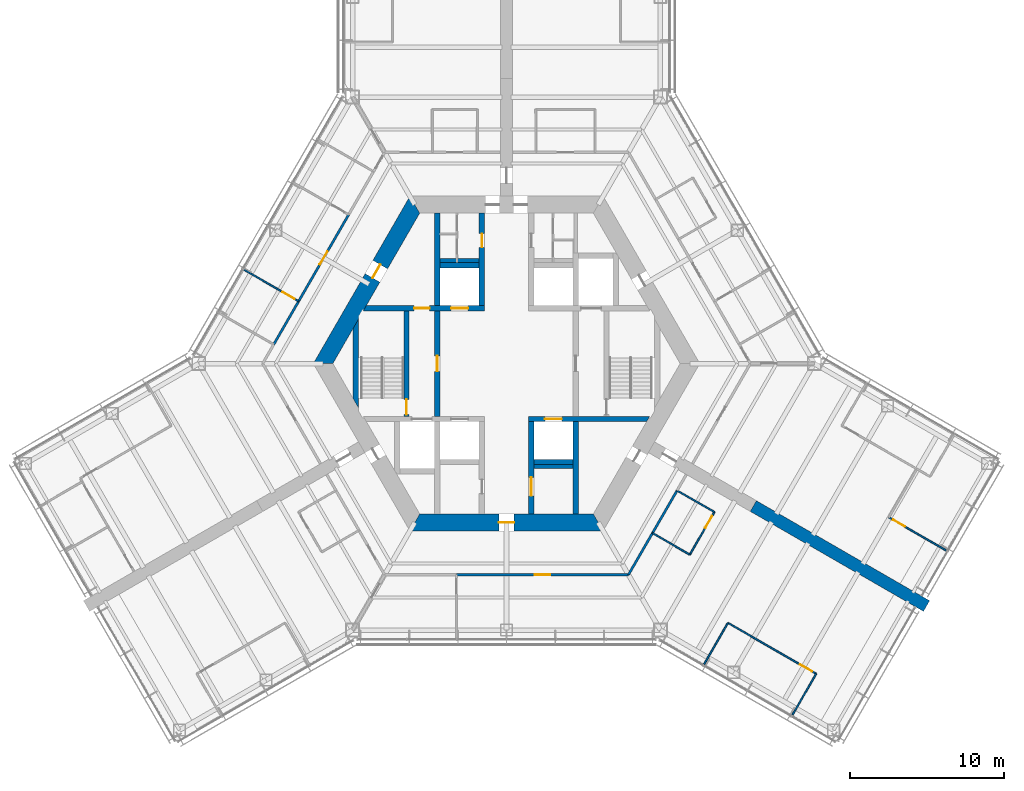
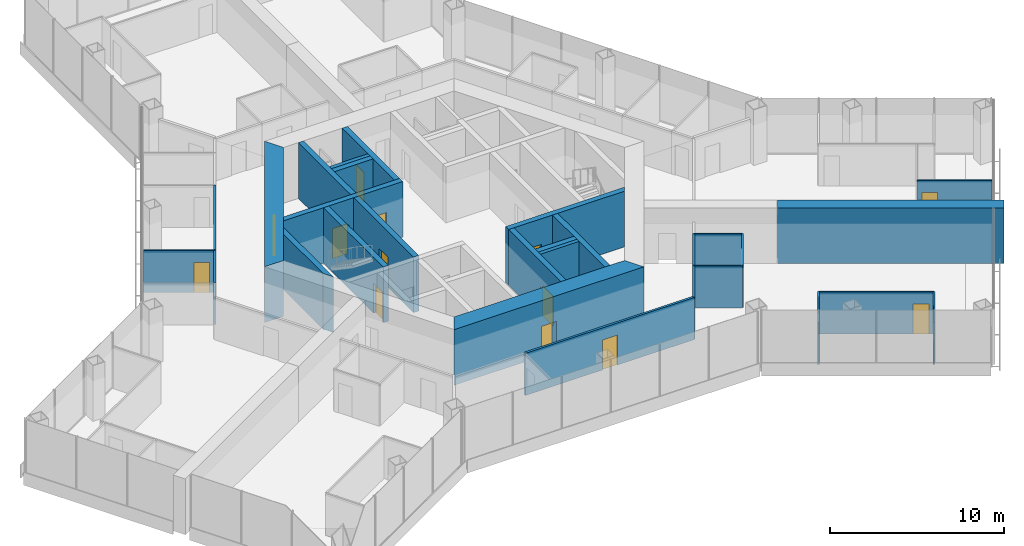
# One storey, part 13 of 19: 29 walls, 15 doors, 15 openings.
"""IFC4 building model written with IfcOpenShell, lengths in metres."""

from ifc_helpers import new_model, si_unit, direction, frame, frame_2d, origin, place, context, subcontext, project, spatial, polyline, rectangle, outline, extrude, material, layer, layer_set, type_object, element, fill, save


model = new_model("IFC4")

# Units and contexts
model_context = context("Model", 3, precision=1e-05, world=origin(), true_north=direction((0.0, 1.0)))
body_context = subcontext(model_context, "Body", "Model", "MODEL_VIEW")
ifc_project = project(units=[si_unit("LENGTHUNIT", "METRE"), si_unit("AREAUNIT", "SQUARE_METRE"), si_unit("VOLUMEUNIT", "CUBIC_METRE"), si_unit("PLANEANGLEUNIT", "RADIAN"), si_unit("MASSUNIT", "GRAM", prefix="KILO")], contexts=[model_context])

# Site, building, storey
site_placement = place(None, origin())
site = spatial("IfcSite", under=ifc_project, at=site_placement, CompositionType="ELEMENT")
building_placement = place(site_placement, origin())
building = spatial("IfcBuilding", under=site, at=building_placement, Name="Kasaneha Research Tower", CompositionType="ELEMENT")
storey_placement = place(building_placement, frame((0.0, 0.0, 96.300048828125)))
storey = spatial("IfcBuildingStorey", under=building, at=storey_placement, Name="L24", CompositionType="ELEMENT", Elevation=96.300048828125)

# Wall, openings, doors
ifc_material_1 = material(Name="Concrete Fc80", Category="concrete")
ifc_layer_1 = layer(ifc_material_1, 0.35009765625)
ifc_layer_set_1 = layer_set([ifc_layer_1], Name="Core internal wall 350 Fc80")
wall_type_1 = type_object("IfcWallType", Name="Core internal wall 350 Fc80", PredefinedType="SHEAR", material=ifc_layer_set_1)
wall_1_placement = place(storey_placement, frame((-9.208740234375, 3.60009765625, 0.0), z_axis=(0.0, 0.0, 1.0), x_axis=(1.0, 0.0, 0.0)))
wall_1 = element("IfcWall", 1, at=wall_1_placement, inside=storey, type_object=wall_type_1, Name="Core wall W1W L24", PredefinedType="SHEAR", context=body_context, shape_type="SweptSolid", body=[
    extrude(outline(polyline([(-0.10107421875, -0.175048828125), (3.208740234375, -0.175048828125), (4.208740234375, -0.175048828125), (5.608642578125, -0.175048828125), (6.708740234375, -0.175048828125), (7.78369140625, -0.175048828125), (7.78369140625, 0.175048828125), (6.708740234375, 0.175048828125), (5.608642578125, 0.175048828125), (4.208740234375, 0.175048828125), (3.208740234375, 0.175048828125), (0.10107421875, 0.175048828125), (-0.10107421875, -0.175048828125)])), origin(), (0.0, 0.0, 1.0), 3.89990234375),
])
opening_1_placement = place(wall_1_placement, frame((3.208740234375, 0.0, 0.0)))
opening_1 = element("IfcOpeningElement", 2, at=opening_1_placement, cuts=wall_1, Name="Opening L24-D12", PredefinedType="OPENING", context=body_context, shape_type="SweptSolid", body=[
    extrude(rectangle(XDim=1.0, YDim=2.10009765625, at=frame_2d((0.5, 1.050048828125))), frame((0.0, 0.18505859375, 0.0), z_axis=(0.0, -1.0, 0.0), x_axis=(1.0, 0.0, 0.0)), (0.0, 0.0, 1.0), 0.3701171875),
])
opening_2_placement = place(wall_1_placement, frame((5.608642578125, 0.0, 0.0)))
opening_2 = element("IfcOpeningElement", 3, at=opening_2_placement, cuts=wall_1, Name="Opening LD-LO1-L24", PredefinedType="OPENING", context=body_context, shape_type="SweptSolid", body=[
    extrude(rectangle(XDim=1.10009765625, YDim=2.10009765625, at=frame_2d((0.550048828125, 1.050048828125))), frame((0.0, 0.18505859375, 0.0), z_axis=(0.0, -1.0, 0.0), x_axis=(1.0, 0.0, 0.0)), (0.0, 0.0, 1.0), 0.3701171875),
])
ifc_material_2 = material(Name="Steel", Category="steel")
door_type_1 = type_object("IfcDoorType", Name="Lift landing door 1100x2100", OperationType="DOUBLE_DOOR_SLIDING", PredefinedType="DOOR", material=ifc_material_2)
door_1_placement = place(opening_2_placement, origin())
door_1 = element("IfcDoor", 4, at=door_1_placement, inside=storey, type_object=door_type_1, Name="Landing door LO1 LD-LO1-L24", OperationType="DOUBLE_DOOR_SLIDING", OverallHeight=2.10009765625, OverallWidth=1.10009765625, PredefinedType="DOOR", context=body_context, shape_type="SweptSolid", body=[
    extrude(rectangle(XDim=1.10009765625, YDim=2.10009765625, at=frame_2d((0.550048828125, 1.050048828125))), frame((0.0, 0.02490234375, 0.0), z_axis=(0.0, -1.0, 0.0), x_axis=(1.0, 0.0, 0.0)), (0.0, 0.0, 1.0), 0.050048828125),
])
fill(opening_2, door_1)
ifc_material_3 = material(Name="Steel", Category="steel")
door_type_2 = type_object("IfcDoorType", Name="Specified fire door FD60 1000x2100", OperationType="NOTDEFINED", PredefinedType="DOOR", material=ifc_material_3)
door_2_placement = place(opening_1_placement, origin())
door_2 = element("IfcDoor", 5, at=door_2_placement, inside=storey, type_object=door_type_2, Name="Vestibule to lobby door L24-D12", OperationType="SINGLE_SWING_RIGHT", OverallHeight=2.10009765625, OverallWidth=1.0, PredefinedType="DOOR", context=body_context, shape_type="SweptSolid", body=[
    extrude(rectangle(XDim=1.0, YDim=2.10009765625, at=frame_2d((0.5, 1.050048828125))), frame((0.0, 0.02490234375, 0.0), z_axis=(0.0, -1.0, 0.0), x_axis=(1.0, 0.0, 0.0)), (0.0, 0.0, 1.0), 0.050048828125),
])
fill(opening_1, door_2)

# Wall, opening, door
wall_2_placement = place(storey_placement, frame((1.425048828125, -3.60009765625, 0.0), z_axis=(0.0, 0.0, 1.0), x_axis=(1.0, 0.0, 0.0)))
wall_2 = element("IfcWall", 6, at=wall_2_placement, inside=storey, type_object=wall_type_1, Name="Core wall W2E L24", PredefinedType="SHEAR", context=body_context, shape_type="SweptSolid", body=[
    extrude(outline(polyline([(0.0, -0.175048828125), (1.074951171875, -0.175048828125), (2.175048828125, -0.175048828125), (7.6826171875, -0.175048828125), (7.884765625, 0.175048828125), (2.175048828125, 0.175048828125), (1.074951171875, 0.175048828125), (0.0, 0.175048828125), (0.0, -0.175048828125)])), origin(), (0.0, 0.0, 1.0), 3.89990234375),
])
opening_3_placement = place(wall_2_placement, frame((1.074951171875, 0.0, 0.0)))
opening_3 = element("IfcOpeningElement", 7, at=opening_3_placement, cuts=wall_2, Name="Opening LD-LO3-L24", PredefinedType="OPENING", context=body_context, shape_type="SweptSolid", body=[
    extrude(rectangle(XDim=1.10009765625, YDim=2.10009765625, at=frame_2d((0.550048828125, 1.050048828125))), frame((0.0, 0.18505859375, 0.0), z_axis=(0.0, -1.0, 0.0), x_axis=(1.0, 0.0, 0.0)), (0.0, 0.0, 1.0), 0.3701171875),
])
door_3_placement = place(opening_3_placement, origin())
door_3 = element("IfcDoor", 8, at=door_3_placement, inside=storey, type_object=door_type_1, Name="Landing door LO3 LD-LO3-L24", OperationType="DOUBLE_DOOR_SLIDING", OverallHeight=2.10009765625, OverallWidth=1.10009765625, PredefinedType="DOOR", context=body_context, shape_type="SweptSolid", body=[
    extrude(rectangle(XDim=1.10009765625, YDim=2.10009765625, at=frame_2d((0.550048828125, 1.050048828125))), frame((0.0, 0.02490234375, 0.0), z_axis=(0.0, -1.0, 0.0), x_axis=(1.0, 0.0, 0.0)), (0.0, 0.0, 1.0), 0.050048828125),
])
fill(opening_3, door_3)

wall_3_placement = place(storey_placement, frame((-1.60009765625, 3.77490234375, 0.0), z_axis=(0.0, 0.0, 1.0), x_axis=(0.0, 1.0, 0.0)))
wall_3 = element("IfcWall", 9, at=wall_3_placement, inside=storey, type_object=wall_type_1, Name="Core wall CNW L24", PredefinedType="SHEAR", context=body_context, shape_type="SweptSolid", body=[
    extrude(rectangle(XDim=6.0, YDim=0.35009765625, at=frame_2d((3.0, 0.0))), origin(), (0.0, 0.0, 1.0), 3.89990234375),
])
opening_4_placement = place(wall_3_placement, frame((3.77490234375, 0.0, 0.0)))
opening_4 = element("IfcOpeningElement", 10, at=opening_4_placement, cuts=wall_3, Name="Opening L24-D13", PredefinedType="OPENING", context=body_context, shape_type="SweptSolid", body=[
    extrude(rectangle(XDim=0.89990234375, YDim=2.10009765625, at=frame_2d((0.449951171875, 1.050048828125))), frame((0.0, 0.18505859375, 0.0), z_axis=(0.0, -1.0, 0.0), x_axis=(1.0, 0.0, 0.0)), (0.0, 0.0, 1.0), 0.3701171875),
])
ifc_material_4 = material(Name="Steel", Category="steel")
door_type_3 = type_object("IfcDoorType", Name="Toilet door FD20 900x2100", OperationType="NOTDEFINED", PredefinedType="DOOR", material=ifc_material_4)
door_4_placement = place(opening_4_placement, origin())
door_4 = element("IfcDoor", 11, at=door_4_placement, inside=storey, type_object=door_type_3, Name="Men's WC door L24-D13", OperationType="SINGLE_SWING_LEFT", OverallHeight=2.10009765625, OverallWidth=0.89990234375, PredefinedType="DOOR", context=body_context, shape_type="SweptSolid", body=[
    extrude(rectangle(XDim=0.89990234375, YDim=2.10009765625, at=frame_2d((0.449951171875, 1.050048828125))), frame((0.0, 0.02490234375, 0.0), z_axis=(0.0, -1.0, 0.0), x_axis=(1.0, 0.0, 0.0)), (0.0, 0.0, 1.0), 0.050048828125),
])
fill(opening_4, door_4)

wall_4_placement = place(storey_placement, frame((1.60009765625, -3.77490234375, 0.0), z_axis=(0.0, 0.0, 1.0), x_axis=(0.0, -1.0, 0.0)))
wall_4 = element("IfcWall", 12, at=wall_4_placement, inside=storey, type_object=wall_type_1, Name="Core wall CSE L24", PredefinedType="SHEAR", context=body_context, shape_type="SweptSolid", body=[
    extrude(rectangle(XDim=6.0, YDim=0.35009765625, at=frame_2d((3.0, 0.0))), origin(), (0.0, 0.0, 1.0), 3.89990234375),
])
opening_5_placement = place(wall_4_placement, frame((3.625, 0.0, 0.0)))
opening_5 = element("IfcOpeningElement", 13, at=opening_5_placement, cuts=wall_4, Name="Opening L24-D15", PredefinedType="OPENING", context=body_context, shape_type="SweptSolid", body=[
    extrude(rectangle(XDim=1.199951171875, YDim=2.10009765625, at=frame_2d((0.60009765625, 1.050048828125))), frame((0.0, 0.18505859375, 0.0), z_axis=(0.0, -1.0, 0.0), x_axis=(1.0, 0.0, 0.0)), (0.0, 0.0, 1.0), 0.3701171875),
])
ifc_material_5 = material(Name="Steel", Category="steel")
door_type_4 = type_object("IfcDoorType", Name="Accessible toilet sliding door FD20 1200x2100", OperationType="SLIDING_TO_LEFT", PredefinedType="DOOR", material=ifc_material_5)
door_5_placement = place(opening_5_placement, origin())
door_5 = element("IfcDoor", 14, at=door_5_placement, inside=storey, type_object=door_type_4, Name="Accessible WC door L24-D15", OperationType="SLIDING_TO_LEFT", OverallHeight=2.10009765625, OverallWidth=1.199951171875, PredefinedType="DOOR", context=body_context, shape_type="SweptSolid", body=[
    extrude(rectangle(XDim=1.199951171875, YDim=2.10009765625, at=frame_2d((0.60009765625, 1.050048828125))), frame((0.0, 0.02490234375, 0.0), z_axis=(0.0, -1.0, 0.0), x_axis=(1.0, 0.0, 0.0)), (0.0, 0.0, 1.0), 0.050048828125),
])
fill(opening_5, door_5)

wall_5_placement = place(storey_placement, frame((-4.5, -3.425048828125, 0.0), z_axis=(0.0, 0.0, 1.0), x_axis=(0.0, 1.0, 0.0)))
wall_5 = element("IfcWall", 15, at=wall_5_placement, inside=storey, type_object=wall_type_1, Name="Core wall LBW L24", PredefinedType="SHEAR", context=body_context, shape_type="SweptSolid", body=[
    extrude(rectangle(XDim=6.85009765625, YDim=0.35009765625, at=frame_2d((3.425048828125, 0.0))), origin(), (0.0, 0.0, 1.0), 3.89990234375),
])
opening_6_placement = place(wall_5_placement, frame((2.925048828125, 0.0, 0.0)))
opening_6 = element("IfcOpeningElement", 16, at=opening_6_placement, cuts=wall_5, Name="Opening L24-D09", PredefinedType="OPENING", context=body_context, shape_type="SweptSolid", body=[
    extrude(rectangle(XDim=1.0, YDim=2.10009765625, at=frame_2d((0.5, 1.050048828125))), frame((0.0, 0.18505859375, 0.0), z_axis=(0.0, -1.0, 0.0), x_axis=(1.0, 0.0, 0.0)), (0.0, 0.0, 1.0), 0.3701171875),
])
door_6_placement = place(opening_6_placement, origin())
door_6 = element("IfcDoor", 17, at=door_6_placement, inside=storey, type_object=door_type_2, Name="Lift lobby door west L24-D09", OperationType="SINGLE_SWING_LEFT", OverallHeight=2.10009765625, OverallWidth=1.0, PredefinedType="DOOR", context=body_context, shape_type="SweptSolid", body=[
    extrude(rectangle(XDim=1.0, YDim=2.10009765625, at=frame_2d((0.5, 1.050048828125))), frame((0.0, 0.02490234375, 0.0), z_axis=(0.0, -1.0, 0.0), x_axis=(1.0, 0.0, 0.0)), (0.0, 0.0, 1.0), 0.050048828125),
])
fill(opening_6, door_6)

wall_6_placement = place(storey_placement, frame((-6.5, -3.425048828125, 0.0), z_axis=(0.0, 0.0, 1.0), x_axis=(0.0, 1.0, 0.0)))
wall_6 = element("IfcWall", 18, at=wall_6_placement, inside=storey, type_object=wall_type_1, Name="Core wall ANW L24", PredefinedType="SHEAR", context=body_context, shape_type="SweptSolid", body=[
    extrude(rectangle(XDim=6.85009765625, YDim=0.35009765625, at=frame_2d((3.425048828125, 0.0))), origin(), (0.0, 0.0, 1.0), 3.89990234375),
])
opening_7_placement = place(wall_6_placement, frame((0.10009765625, 0.0, 0.0)))
opening_7 = element("IfcOpeningElement", 19, at=opening_7_placement, cuts=wall_6, Name="Opening L24-D11", PredefinedType="OPENING", context=body_context, shape_type="SweptSolid", body=[
    extrude(rectangle(XDim=1.0, YDim=2.10009765625, at=frame_2d((0.5, 1.050048828125))), frame((0.0, 0.18505859375, 0.0), z_axis=(0.0, -1.0, 0.0), x_axis=(1.0, 0.0, 0.0)), (0.0, 0.0, 1.0), 0.3701171875),
])
door_7_placement = place(opening_7_placement, origin())
door_7 = element("IfcDoor", 20, at=door_7_placement, inside=storey, type_object=door_type_2, Name="Stair 2 door L24-D11", OperationType="SINGLE_SWING_LEFT", OverallHeight=2.10009765625, OverallWidth=1.0, PredefinedType="DOOR", context=body_context, shape_type="SweptSolid", body=[
    extrude(rectangle(XDim=1.0, YDim=2.10009765625, at=frame_2d((0.5, 1.050048828125))), frame((0.0, 0.02490234375, 0.0), z_axis=(0.0, -1.0, 0.0), x_axis=(1.0, 0.0, 0.0)), (0.0, 0.0, 1.0), 0.050048828125),
])
fill(opening_7, door_7)

# Walls
for number, where, z_axis, x_axis, name in (
    (21, (-4.5, 3.77490234375, 0.0), (0.0, 0.0, 1.0), (0.0, 1.0, 0.0), "Core wall VNW L24"),
    (22, (4.5, -3.77490234375, 0.0), (0.0, 0.0, 1.0), (0.0, -1.0, 0.0), "Core wall SSE L24"),
):
    element("IfcWall", number, at=place(storey_placement, frame(where, z_axis=z_axis, x_axis=x_axis)), inside=storey, type_object=wall_type_1, Name=name, PredefinedType="SHEAR", context=body_context, shape_type="SweptSolid", body=[
        extrude(rectangle(XDim=6.0, YDim=0.35009765625, at=frame_2d((3.0, 0.0))), origin(), (0.0, 0.0, 1.0), 3.89990234375),
    ])
for number, where, z_axis, x_axis, name in (
    (23, (-4.324951171875, 6.39990234375, 0.0), (0.0, 0.0, 1.0), (1.0, 0.0, 0.0), "Core wall N1N L24"),
    (24, (1.77490234375, -6.39990234375, 0.0), (0.0, 0.0, 1.0), (1.0, 0.0, 0.0), "Core wall S3S L24"),
):
    element("IfcWall", number, at=place(storey_placement, frame(where, z_axis=z_axis, x_axis=x_axis)), inside=storey, type_object=wall_type_1, Name=name, PredefinedType="SHEAR", context=body_context, shape_type="SweptSolid", body=[
        extrude(rectangle(XDim=2.550048828125, YDim=0.35009765625, at=frame_2d((1.27490234375, 0.0))), origin(), (0.0, 0.0, 1.0), 3.89990234375),
    ])
wall_7_placement = place(storey_placement, frame((-9.807861328125, -2.562255859375, 0.0), z_axis=(0.0, 0.0, 1.0), x_axis=(0.0, 1.0, 0.0)))
element("IfcWall", 25, at=wall_7_placement, inside=storey, type_object=wall_type_1, Name="Core wall STW L24", PredefinedType="SHEAR", context=body_context, shape_type="SweptSolid", body=[
    extrude(outline(polyline([(-0.30322265625, -0.175048828125), (5.427734375, -0.175048828125), (4.8212890625, 0.175048828125), (0.30322265625, 0.175048828125), (-0.30322265625, -0.175048828125)])), origin(), (0.0, 0.0, 1.0), 3.89990234375),
])

# Wall, opening, door
ifc_material_6 = material(Name="Concrete Fc80", Category="concrete")
ifc_layer_2 = layer(ifc_material_6, 1.10009765625)
ifc_layer_set_2 = layer_set([ifc_layer_2], Name="Core wall 1100 Fc80")
wall_type_2 = type_object("IfcWallType", Name="Core wall 1100 Fc80", PredefinedType="SHEAR", material=ifc_layer_set_2)
wall_8_placement = place(storey_placement, frame((-5.961181640625, 10.324951171875, 0.0), z_axis=(0.0, 0.0, 1.0), x_axis=(-0.500004296715, -0.866022923061, 0.0)))
wall_8 = element("IfcWall", 26, at=wall_8_placement, inside=storey, type_object=wall_type_2, Name="Core wall 150 L24", PredefinedType="SHEAR", context=body_context, shape_type="SweptSolid", body=[
    extrude(outline(polyline([(-0.317626953125, -0.550048828125), (4.494140625, -0.550048828125), (5.494140625, -0.550048828125), (12.239990234375, -0.550048828125), (11.604736328125, 0.550048828125), (5.494140625, 0.550048828125), (4.494140625, 0.550048828125), (0.317626953125, 0.550048828125), (-0.317626953125, -0.550048828125)])), origin(), (0.0, 0.0, 1.0), 3.89990234375),
])
opening_8_placement = place(wall_8_placement, frame((4.494140625, 0.0, 0.0)))
opening_8 = element("IfcOpeningElement", 27, at=opening_8_placement, cuts=wall_8, Name="Opening L24-D07", PredefinedType="OPENING", context=body_context, shape_type="SweptSolid", body=[
    extrude(rectangle(XDim=1.0, YDim=2.10009765625, at=frame_2d((0.5, 1.050048828125))), frame((0.0, 0.56005859375, 0.0), z_axis=(0.0, -1.0, 0.0), x_axis=(1.0, 0.0, 0.0)), (0.0, 0.0, 1.0), 1.1201171875),
])
ifc_material_7 = material(Name="Steel", Category="steel")
door_type_5 = type_object("IfcDoorType", Name="Fire door FD20 1000x2100", OperationType="NOTDEFINED", PredefinedType="DOOR", material=ifc_material_7)
door_8_placement = place(opening_8_placement, origin())
door_8 = element("IfcDoor", 28, at=door_8_placement, inside=storey, type_object=door_type_5, Name="Vestibule door L24-D07", OperationType="SINGLE_SWING_LEFT", OverallHeight=2.10009765625, OverallWidth=1.0, PredefinedType="DOOR", context=body_context, shape_type="SweptSolid", body=[
    extrude(rectangle(XDim=1.0, YDim=2.10009765625, at=frame_2d((0.5, 1.050048828125))), frame((0.0, 0.02490234375, 0.0), z_axis=(0.0, -1.0, 0.0), x_axis=(1.0, 0.0, 0.0)), (0.0, 0.0, 1.0), 0.050048828125),
])
fill(opening_8, door_8)

wall_9_placement = place(storey_placement, frame((-5.961181640625, -10.324951171875, 0.0), z_axis=(0.0, 0.0, 1.0), x_axis=(1.0, 0.0, 0.0)))
wall_9 = element("IfcWall", 29, at=wall_9_placement, inside=storey, type_object=wall_type_2, Name="Core wall 270 L24", PredefinedType="SHEAR", context=body_context, shape_type="SweptSolid", body=[
    extrude(outline(polyline([(-0.317626953125, -0.550048828125), (5.461181640625, -0.550048828125), (6.461181640625, -0.550048828125), (12.239990234375, -0.550048828125), (11.604736328125, 0.550048828125), (6.461181640625, 0.550048828125), (5.461181640625, 0.550048828125), (0.317626953125, 0.550048828125), (-0.317626953125, -0.550048828125)])), origin(), (0.0, 0.0, 1.0), 3.89990234375),
])
opening_9_placement = place(wall_9_placement, frame((5.461181640625, 0.0, 0.0)))
opening_9 = element("IfcOpeningElement", 30, at=opening_9_placement, cuts=wall_9, Name="Opening L24-D03", PredefinedType="OPENING", context=body_context, shape_type="SweptSolid", body=[
    extrude(rectangle(XDim=1.0, YDim=2.10009765625, at=frame_2d((0.5, 1.050048828125))), frame((0.0, 0.56005859375, 0.0), z_axis=(0.0, -1.0, 0.0), x_axis=(1.0, 0.0, 0.0)), (0.0, 0.0, 1.0), 1.1201171875),
])
door_9_placement = place(opening_9_placement, origin())
door_9 = element("IfcDoor", 31, at=door_9_placement, inside=storey, type_object=door_type_5, Name="Core door south L24-D03", OperationType="SINGLE_SWING_LEFT", OverallHeight=2.10009765625, OverallWidth=1.0, PredefinedType="DOOR", context=body_context, shape_type="SweptSolid", body=[
    extrude(rectangle(XDim=1.0, YDim=2.10009765625, at=frame_2d((0.5, 1.050048828125))), frame((0.0, 0.02490234375, 0.0), z_axis=(0.0, -1.0, 0.0), x_axis=(1.0, 0.0, 0.0)), (0.0, 0.0, 1.0), 0.050048828125),
])
fill(opening_9, door_9)

ifc_material_8 = material(Name="Gypsum board on steel studs, one layer each side", Category="steel")
ifc_layer_3 = layer(ifc_material_8, 0.10009765625)
ifc_layer_set_3 = layer_set([ifc_layer_3], Name="Office partition 100")
wall_type_3 = type_object("IfcWallType", Name="Office partition 100", PredefinedType="PARTITIONING", material=ifc_layer_set_3)
wall_10_placement = place(storey_placement, frame((-17.05615234375, 6.098876953125, 0.0), z_axis=(0.0, 0.0, 1.0), x_axis=(0.865456213931, -0.500984572385, 0.0)))
wall_10 = element("IfcWall", 32, at=wall_10_placement, inside=storey, type_object=wall_type_3, Name="Office partition FBN11 L24", PredefinedType="PARTITIONING", context=body_context, shape_type="SweptSolid", body=[
    extrude(rectangle(XDim=4.095458984375, YDim=0.10009765625, at=frame_2d((2.0478515625, 0.0))), origin(), (0.0, 0.0, 1.0), 2.949951171875),
])
opening_10_placement = place(wall_10_placement, frame((2.8955078125, 0.0, 0.0)))
opening_10 = element("IfcOpeningElement", 33, at=opening_10_placement, cuts=wall_10, Name="Opening L24-D43", PredefinedType="OPENING", context=body_context, shape_type="SweptSolid", body=[
    extrude(rectangle(XDim=0.89990234375, YDim=2.10009765625, at=frame_2d((0.449951171875, 1.050048828125))), frame((0.0, 0.06005859375, 0.0), z_axis=(0.0, -1.0, 0.0), x_axis=(1.0, 0.0, 0.0)), (0.0, 0.0, 1.0), 0.1201171875),
])
ifc_material_9 = material(Name="Timber veneer", Category="wood")
door_type_6 = type_object("IfcDoorType", Name="Office door 900x2100", OperationType="SINGLE_SWING_LEFT", PredefinedType="DOOR", material=ifc_material_9)
door_10_placement = place(opening_10_placement, origin())
door_10 = element("IfcDoor", 34, at=door_10_placement, inside=storey, type_object=door_type_6, Name="Meeting room door L24-D43", OperationType="SINGLE_SWING_RIGHT", OverallHeight=2.10009765625, OverallWidth=0.89990234375, PredefinedType="DOOR", context=body_context, shape_type="SweptSolid", body=[
    extrude(rectangle(XDim=0.89990234375, YDim=2.10009765625, at=frame_2d((0.449951171875, 1.050048828125))), frame((0.0, 0.02490234375, 0.0), z_axis=(0.0, -1.0, 0.0), x_axis=(1.0, 0.0, 0.0)), (0.0, 0.0, 1.0), 0.050048828125),
])
fill(opening_10, door_10)

wall_11_placement = place(storey_placement, frame((28.57470703125, -12.148193359375, 0.0), z_axis=(0.0, 0.0, 1.0), x_axis=(-0.866033360935, 0.499986217557, 0.0)))
wall_11 = element("IfcWall", 35, at=wall_11_placement, inside=storey, type_object=wall_type_3, Name="Office partition FCE07 L24", PredefinedType="PARTITIONING", context=body_context, shape_type="SweptSolid", body=[
    extrude(rectangle(XDim=4.2998046875, YDim=0.10009765625, at=frame_2d((2.14990234375, 0.0))), origin(), (0.0, 0.0, 1.0), 2.949951171875),
])
opening_11_placement = place(wall_11_placement, frame((3.10009765625, 0.0, 0.0)))
opening_11 = element("IfcOpeningElement", 36, at=opening_11_placement, cuts=wall_11, Name="Opening L24-D52", PredefinedType="OPENING", context=body_context, shape_type="SweptSolid", body=[
    extrude(rectangle(XDim=0.89990234375, YDim=2.10009765625, at=frame_2d((0.449951171875, 1.050048828125))), frame((0.0, 0.06005859375, 0.0), z_axis=(0.0, -1.0, 0.0), x_axis=(1.0, 0.0, 0.0)), (0.0, 0.0, 1.0), 0.1201171875),
])
door_11_placement = place(opening_11_placement, origin())
door_11 = element("IfcDoor", 37, at=door_11_placement, inside=storey, type_object=door_type_6, Name="Meeting room door L24-D52", OperationType="SINGLE_SWING_RIGHT", OverallHeight=2.10009765625, OverallWidth=0.89990234375, PredefinedType="DOOR", context=body_context, shape_type="SweptSolid", body=[
    extrude(rectangle(XDim=0.89990234375, YDim=2.10009765625, at=frame_2d((0.449951171875, 1.050048828125))), frame((0.0, 0.02490234375, 0.0), z_axis=(0.0, -1.0, 0.0), x_axis=(1.0, 0.0, 0.0)), (0.0, 0.0, 1.0), 0.050048828125),
])
fill(opening_11, door_11)

# Walls
wall_12_placement = place(storey_placement, frame((11.083984375, -8.251953125, 0.0), z_axis=(0.0, 0.0, 1.0), x_axis=(0.86679607088, -0.498662783358, 0.0)))
element("IfcWall", 38, at=wall_12_placement, inside=storey, type_object=wall_type_3, Name="Office partition FCS06 L24", PredefinedType="PARTITIONING", context=body_context, shape_type="SweptSolid", body=[
    extrude(rectangle(XDim=2.800048828125, YDim=0.10009765625, at=frame_2d((1.39990234375, 0.0))), origin(), (0.0, 0.0, 1.0), 2.949951171875),
])
wall_13_placement = place(storey_placement, frame((11.9111328125, -12.41943359375, 0.0), z_axis=(0.0, 0.0, 1.0), x_axis=(-0.86521729344, 0.50139708329, 0.0)))
element("IfcWall", 39, at=wall_13_placement, inside=storey, type_object=wall_type_3, Name="Office partition FCS07 L24", PredefinedType="PARTITIONING", context=body_context, shape_type="SweptSolid", body=[
    extrude(rectangle(XDim=2.80029296875, YDim=0.10009765625, at=frame_2d((1.400146484375, 0.0))), origin(), (0.0, 0.0, 1.0), 2.949951171875),
])

# Wall, opening, door
wall_14_placement = place(storey_placement, frame((13.510986328125, -9.648193359375, 0.0), z_axis=(0.0, 0.0, 1.0), x_axis=(-0.499971222258, -0.866042017984, 0.0)))
wall_14 = element("IfcWall", 40, at=wall_14_placement, inside=storey, type_object=wall_type_3, Name="Office partition FCS08 L24", PredefinedType="PARTITIONING", context=body_context, shape_type="SweptSolid", body=[
    extrude(rectangle(XDim=3.199951171875, YDim=0.10009765625, at=frame_2d((1.60009765625, 0.0))), origin(), (0.0, 0.0, 1.0), 2.949951171875),
])
opening_12_placement = place(wall_14_placement, frame((0.300048828125, 0.0, 0.0)))
opening_12 = element("IfcOpeningElement", 41, at=opening_12_placement, cuts=wall_14, Name="Opening L24-D54", PredefinedType="OPENING", context=body_context, shape_type="SweptSolid", body=[
    extrude(rectangle(XDim=0.89990234375, YDim=2.10009765625, at=frame_2d((0.449951171875, 1.050048828125))), frame((0.0, 0.06005859375, 0.0), z_axis=(0.0, -1.0, 0.0), x_axis=(1.0, 0.0, 0.0)), (0.0, 0.0, 1.0), 0.1201171875),
])
door_12_placement = place(opening_12_placement, origin())
door_12 = element("IfcDoor", 42, at=door_12_placement, inside=storey, type_object=door_type_6, Name="Pantry door L24-D54", OperationType="SINGLE_SWING_LEFT", OverallHeight=2.10009765625, OverallWidth=0.89990234375, PredefinedType="DOOR", context=body_context, shape_type="SweptSolid", body=[
    extrude(rectangle(XDim=0.89990234375, YDim=2.10009765625, at=frame_2d((0.449951171875, 1.050048828125))), frame((0.0, 0.02490234375, 0.0), z_axis=(0.0, -1.0, 0.0), x_axis=(1.0, 0.0, 0.0)), (0.0, 0.0, 1.0), 0.050048828125),
])
fill(opening_12, door_12)

# Wall
wall_15_placement = place(storey_placement, frame((12.84228515625, -19.538818359375, 0.0), z_axis=(0.0, 0.0, 1.0), x_axis=(0.499933790963, 0.866063626216, 0.0)))
element("IfcWall", 43, at=wall_15_placement, inside=storey, type_object=wall_type_3, Name="Office partition FCS09 L24", PredefinedType="PARTITIONING", context=body_context, shape_type="SweptSolid", body=[
    extrude(rectangle(XDim=3.10009765625, YDim=0.10009765625, at=frame_2d((1.550048828125, 0.0))), origin(), (0.0, 0.0, 1.0), 2.949951171875),
])

# Wall, opening, door
wall_16_placement = place(storey_placement, frame((14.39208984375, -16.85400390625, 0.0), z_axis=(0.0, 0.0, 1.0), x_axis=(0.866030817826, -0.499990622488, 0.0)))
wall_16 = element("IfcWall", 44, at=wall_16_placement, inside=storey, type_object=wall_type_3, Name="Office partition FCS10 L24", PredefinedType="PARTITIONING", context=body_context, shape_type="SweptSolid", body=[
    extrude(rectangle(XDim=6.619873046875, YDim=0.10009765625, at=frame_2d((3.31005859375, 0.0))), origin(), (0.0, 0.0, 1.0), 2.949951171875),
])
opening_13_placement = place(wall_16_placement, frame((5.419677734375, 0.0, 0.0)))
opening_13 = element("IfcOpeningElement", 45, at=opening_13_placement, cuts=wall_16, Name="Opening L24-D55", PredefinedType="OPENING", context=body_context, shape_type="SweptSolid", body=[
    extrude(rectangle(XDim=0.89990234375, YDim=2.10009765625, at=frame_2d((0.449951171875, 1.050048828125))), frame((0.0, 0.06005859375, 0.0), z_axis=(0.0, -1.0, 0.0), x_axis=(1.0, 0.0, 0.0)), (0.0, 0.0, 1.0), 0.1201171875),
])
door_13_placement = place(opening_13_placement, origin())
door_13 = element("IfcDoor", 46, at=door_13_placement, inside=storey, type_object=door_type_6, Name="Manager's office door L24-D55", OperationType="SINGLE_SWING_RIGHT", OverallHeight=2.10009765625, OverallWidth=0.89990234375, PredefinedType="DOOR", context=body_context, shape_type="SweptSolid", body=[
    extrude(rectangle(XDim=0.89990234375, YDim=2.10009765625, at=frame_2d((0.449951171875, 1.050048828125))), frame((0.0, 0.02490234375, 0.0), z_axis=(0.0, -1.0, 0.0), x_axis=(1.0, 0.0, 0.0)), (0.0, 0.0, 1.0), 0.050048828125),
])
fill(opening_13, door_13)

# Walls
wall_17_placement = place(storey_placement, frame((20.125, -20.163818359375, 0.0), z_axis=(0.0, 0.0, 1.0), x_axis=(-0.499992328818, -0.866029832698, 0.0)))
element("IfcWall", 47, at=wall_17_placement, inside=storey, type_object=wall_type_3, Name="Office partition FCS11 L24", PredefinedType="PARTITIONING", context=body_context, shape_type="SweptSolid", body=[
    extrude(rectangle(XDim=3.080078125, YDim=0.10009765625, at=frame_2d((1.5400390625, 0.0))), origin(), (0.0, 0.0, 1.0), 2.949951171875),
])
ifc_material_10 = material(Name="Concrete Fc80", Category="concrete")
ifc_layer_4 = layer(ifc_material_10, 0.800048828125)
ifc_layer_set_4 = layer_set([ifc_layer_4], Name="Spine wall 800 Fc80")
wall_type_4 = type_object("IfcWallType", Name="Spine wall 800 Fc80", PredefinedType="SHEAR", material=ifc_layer_set_4)
wall_18_placement = place(storey_placement, frame((16.039306640625, -9.26025390625, 0.0), z_axis=(0.0, 0.0, 1.0), x_axis=(0.866024837091, -0.50000098154, 0.0)))
element("IfcWall", 48, at=wall_18_placement, inside=storey, type_object=wall_type_4, Name="Spine wall C wing L24", PredefinedType="SHEAR", context=body_context, shape_type="SweptSolid", body=[
    extrude(rectangle(XDim=13.0, YDim=0.800048828125, at=frame_2d((6.5, 0.0))), origin(), (0.0, 0.0, 1.0), 3.89990234375),
])
ifc_material_11 = material(Name="Gypsum board on steel studs, two layers each side", Category="steel")
ifc_layer_5 = layer(ifc_material_11, 0.14990234375)
ifc_layer_set_5 = layer_set([ifc_layer_5], Name="Suite partition 150")
wall_type_5 = type_object("IfcWallType", Name="Suite partition 150", PredefinedType="PARTITIONING", material=ifc_layer_set_5)
wall_19_placement = place(storey_placement, frame((-15.135009765625, 1.235107421875, 0.0), z_axis=(0.0, 0.0, 1.0), x_axis=(0.499969057507, 0.866043267704, 0.0)))
element("IfcWall", 49, at=wall_19_placement, inside=storey, type_object=wall_type_5, Name="Suite partition FBN01 L24", PredefinedType="PARTITIONING", context=body_context, shape_type="SweptSolid", body=[
    extrude(rectangle(XDim=3.256591796875, YDim=0.14990234375, at=frame_2d((1.62841796875, 0.0))), origin(), (0.0, 0.0, 1.0), 2.949951171875),
])

# Wall, opening, door
wall_20_placement = place(storey_placement, frame((-13.51171875, 4.047119140625, 0.0), z_axis=(0.0, 0.0, 1.0), x_axis=(0.500016073435, 0.866016123583, 0.0)))
wall_20 = element("IfcWall", 50, at=wall_20_placement, inside=storey, type_object=wall_type_5, Name="Suite partition FBN06 L24", PredefinedType="PARTITIONING", context=body_context, shape_type="SweptSolid", body=[
    extrude(rectangle(XDim=6.501708984375, YDim=0.14990234375, at=frame_2d((3.2509765625, 0.0))), origin(), (0.0, 0.0, 1.0), 2.949951171875),
])
opening_14_placement = place(wall_20_placement, frame((2.750732421875, 0.0, 0.0)))
opening_14 = element("IfcOpeningElement", 51, at=opening_14_placement, cuts=wall_20, Name="Opening L24-D41", PredefinedType="OPENING", context=body_context, shape_type="SweptSolid", body=[
    extrude(rectangle(XDim=1.0, YDim=2.10009765625, at=frame_2d((0.5, 1.050048828125))), frame((0.0, 0.0849609375, 0.0), z_axis=(0.0, -1.0, 0.0), x_axis=(1.0, 0.0, 0.0)), (0.0, 0.0, 1.0), 0.169921875),
])
ifc_material_12 = material(Name="Steel", Category="steel")
door_type_7 = type_object("IfcDoorType", Name="Suite entrance door FD60 1000x2100", OperationType="NOTDEFINED", PredefinedType="DOOR", material=ifc_material_12)
door_14_placement = place(opening_14_placement, origin())
door_14 = element("IfcDoor", 52, at=door_14_placement, inside=storey, type_object=door_type_7, Name="Suite entrance door L24-D41", OperationType="SINGLE_SWING_LEFT", OverallHeight=2.10009765625, OverallWidth=1.0, PredefinedType="DOOR", context=body_context, shape_type="SweptSolid", body=[
    extrude(rectangle(XDim=1.0, YDim=2.10009765625, at=frame_2d((0.5, 1.050048828125))), frame((0.0, 0.02490234375, 0.0), z_axis=(0.0, -1.0, 0.0), x_axis=(1.0, 0.0, 0.0)), (0.0, 0.0, 1.0), 0.050048828125),
])
fill(opening_14, door_14)

# Wall
wall_21_placement = place(storey_placement, frame((11.088623046875, -8.243896484375, 0.0), z_axis=(0.0, 0.0, 1.0), x_axis=(-0.500016533484, -0.866015857963, 0.0)))
element("IfcWall", 53, at=wall_21_placement, inside=storey, type_object=wall_type_5, Name="Suite partition FCS01 L24", PredefinedType="PARTITIONING", context=body_context, shape_type="SweptSolid", body=[
    extrude(rectangle(XDim=3.2099609375, YDim=0.14990234375, at=frame_2d((1.60498046875, 0.0))), origin(), (0.0, 0.0, 1.0), 2.949951171875),
])

# Wall, opening, door
wall_22_placement = place(storey_placement, frame((7.924072265625, -13.72509765625, 0.0), z_axis=(0.0, 0.0, 1.0), x_axis=(-1.0, 0.0, 0.0)))
wall_22 = element("IfcWall", 54, at=wall_22_placement, inside=storey, type_object=wall_type_5, Name="Suite partition FCS03 L24", PredefinedType="PARTITIONING", context=body_context, shape_type="SweptSolid", body=[
    extrude(rectangle(XDim=11.175048828125, YDim=0.14990234375, at=frame_2d((5.58740234375, 0.0))), origin(), (0.0, 0.0, 1.0), 2.949951171875),
])
opening_15_placement = place(wall_22_placement, frame((5.08740234375, 0.0, 0.0)))
opening_15 = element("IfcOpeningElement", 55, at=opening_15_placement, cuts=wall_22, Name="Opening L24-D53", PredefinedType="OPENING", context=body_context, shape_type="SweptSolid", body=[
    extrude(rectangle(XDim=1.0, YDim=2.10009765625, at=frame_2d((0.5, 1.050048828125))), frame((0.0, 0.0849609375, 0.0), z_axis=(0.0, -1.0, 0.0), x_axis=(1.0, 0.0, 0.0)), (0.0, 0.0, 1.0), 0.169921875),
])
door_15_placement = place(opening_15_placement, origin())
door_15 = element("IfcDoor", 56, at=door_15_placement, inside=storey, type_object=door_type_7, Name="Suite entrance door L24-D53", OperationType="SINGLE_SWING_LEFT", OverallHeight=2.10009765625, OverallWidth=1.0, PredefinedType="DOOR", context=body_context, shape_type="SweptSolid", body=[
    extrude(rectangle(XDim=1.0, YDim=2.10009765625, at=frame_2d((0.5, 1.050048828125))), frame((0.0, 0.02490234375, 0.0), z_axis=(0.0, -1.0, 0.0), x_axis=(1.0, 0.0, 0.0)), (0.0, 0.0, 1.0), 0.050048828125),
])
fill(opening_15, door_15)

# Walls
wall_23_placement = place(storey_placement, frame((9.48828125, -11.015380859375, 0.0), z_axis=(0.0, 0.0, 1.0), x_axis=(-0.499940853474, -0.866059549354, 0.0)))
element("IfcWall", 57, at=wall_23_placement, inside=storey, type_object=wall_type_5, Name="Suite partition FCS04 L24", PredefinedType="PARTITIONING", context=body_context, shape_type="SweptSolid", body=[
    extrude(rectangle(XDim=3.12890625, YDim=0.14990234375, at=frame_2d((1.564453125, 0.0))), origin(), (0.0, 0.0, 1.0), 2.949951171875),
])
ifc_material_13 = material(Name="Concrete block lining", Category="concrete")
ifc_layer_6 = layer(ifc_material_13, 0.25)
ifc_layer_set_6 = layer_set([ifc_layer_6], Name="WC plumbing wall 250")
wall_type_6 = type_object("IfcWallType", Name="WC plumbing wall 250", PredefinedType="PLUMBINGWALL", material=ifc_layer_set_6)
for number, where, z_axis, x_axis, name in (
    (58, (-4.324951171875, 6.699951171875, 0.0), (0.0, 0.0, 1.0), (1.0, 0.0, 0.0), "WC plumbing wall M L24"),
    (59, (1.77490234375, -6.699951171875, 0.0), (0.0, 0.0, 1.0), (1.0, 0.0, 0.0), "WC plumbing wall A L24"),
):
    element("IfcWall", number, at=place(storey_placement, frame(where, z_axis=z_axis, x_axis=x_axis)), inside=storey, type_object=wall_type_6, Name=name, PredefinedType="PLUMBINGWALL", context=body_context, shape_type="SweptSolid", body=[
        extrude(rectangle(XDim=2.550048828125, YDim=0.25, at=frame_2d((1.27490234375, 0.0))), origin(), (0.0, 0.0, 1.0), 3.89990234375),
    ])

save(model, "model.ifc")
